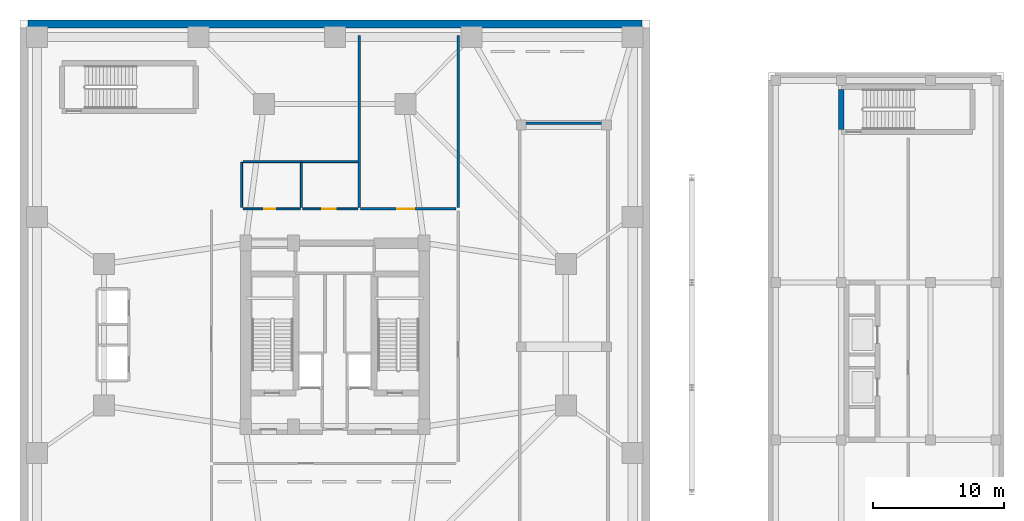
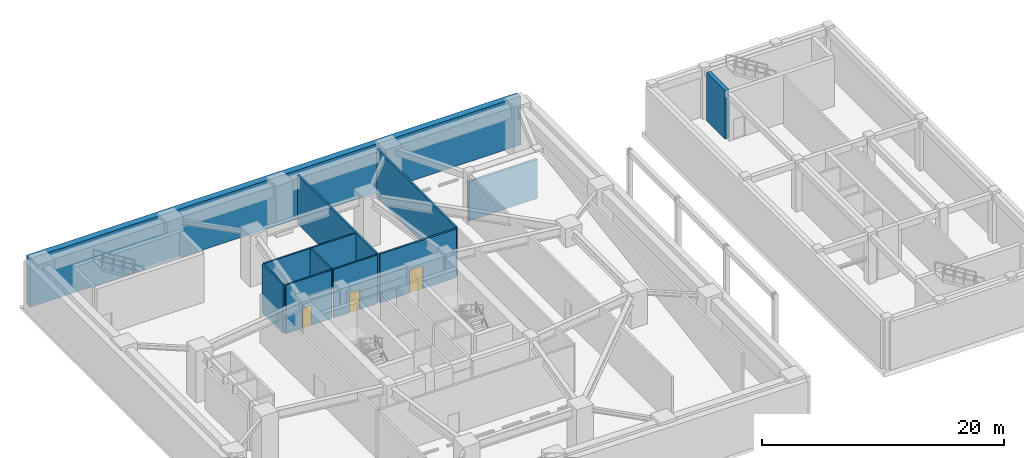
# One storey, part 6 of 13: 11 walls, 3 doors, 3 openings.
"""IFC4 building model written with IfcOpenShell, lengths in metres."""

import ifcopenshell
import ifcopenshell.guid

model = None  # the IFC model being written
_history = None  # IfcOwnerHistory: only IFC2X3 demands one
_inside = {}  # id of a spatial element -> (the spatial element, [elements in it])
_under = {}  # id of a project, library or spatial element -> (it, [spatial elements below it])
_declared = {}  # id of a project -> (the project, [libraries it declares])
_typed = {}  # id of a type object -> (the type object, [elements of that type])
_made_of = {}  # id of a material, layer set ... -> (it, [elements and type objects made of it])


def new_model(schema):
    """Start an empty IFC model of exactly this schema.

    Asked for "IFC4X3", IfcOpenShell would pick the latest addendum, in which some entities
    have other attributes; the version numbers below select the first issue.
    IFC2X3 requires an IfcOwnerHistory on every rooted entity: one is made here for all.
    """
    global model, _history
    if schema == "IFC4X3":
        model = ifcopenshell.file(schema_version=(4, 3, 0, 0))
    else:
        model = ifcopenshell.file(schema=schema)
    _inside.clear()
    _under.clear()
    _declared.clear()
    _typed.clear()
    _made_of.clear()
    _history = None
    if model.schema == "IFC2X3":
        org = make("IfcOrganization", Name="unknown")
        user = make(
            "IfcPersonAndOrganization",
            ThePerson=make("IfcPerson", FamilyName="unknown"),
            TheOrganization=org,
        )
        app = make(
            "IfcApplication",
            ApplicationDeveloper=org,
            Version="unknown",
            ApplicationFullName="unknown",
            ApplicationIdentifier="unknown",
        )
        _history = make(
            "IfcOwnerHistory",
            OwningUser=user,
            OwningApplication=app,
            ChangeAction="ADDED",
            CreationDate=0,
        )
    return model


def make(cls, **values):
    """One entity of the class cls with the attributes given. An attribute that is None is left unset."""
    return model.create_entity(
        cls, **{name: value for name, value in values.items() if value is not None}
    )


def rooted(cls, **values):
    """An entity with a GlobalId (a new one), such as an element, a storey or a relation."""
    return make(cls, GlobalId=ifcopenshell.guid.new(), OwnerHistory=_history, **values)


def si_unit(unit_type, name, prefix=None):
    """IfcSIUnit, for example si_unit("LENGTHUNIT", "METRE", prefix="MILLI")."""
    return make("IfcSIUnit", UnitType=unit_type, Prefix=prefix, Name=name)


def assignment(units):
    """IfcUnitAssignment: the units of a project."""
    return None if units is None else make("IfcUnitAssignment", Units=units)


def point(xyz):
    """IfcCartesianPoint."""
    return None if xyz is None else make("IfcCartesianPoint", Coordinates=xyz)


def direction(xyz):
    """IfcDirection."""
    return None if xyz is None else make("IfcDirection", DirectionRatios=xyz)


def frame(location, z_axis=None, x_axis=None):
    """IfcAxis2Placement3D, a coordinate frame: its origin and axes. An axis left out is left unset."""
    return make(
        "IfcAxis2Placement3D",
        Location=point(location),
        Axis=direction(z_axis),
        RefDirection=direction(x_axis),
    )


def frame_2d(location, x_axis=None):
    """IfcAxis2Placement2D, a coordinate frame in the plane: its origin and x axis."""
    return make(
        "IfcAxis2Placement2D", Location=point(location), RefDirection=direction(x_axis)
    )


def origin():
    """The frame at (0, 0, 0) with its axes left unset."""
    return frame((0.0, 0.0, 0.0))


def place(relative_to, where):
    """IfcLocalPlacement: puts the frame where relative to a parent placement (None: the world)."""
    return make(
        "IfcLocalPlacement", PlacementRelTo=relative_to, RelativePlacement=where
    )


def context(
    kind, dimensions, precision=None, world=None, true_north=None, identifier=None
):
    """IfcGeometricRepresentationContext, for example the 3D "Model" context."""
    return make(
        "IfcGeometricRepresentationContext",
        ContextIdentifier=identifier,
        ContextType=kind,
        CoordinateSpaceDimension=dimensions,
        Precision=precision,
        WorldCoordinateSystem=world,
        TrueNorth=true_north,
    )


def subcontext(parent, identifier, kind, view, scale=None):
    """IfcGeometricRepresentationSubContext, for example "Body" below "Model"."""
    return make(
        "IfcGeometricRepresentationSubContext",
        ContextIdentifier=identifier,
        ContextType=kind,
        ParentContext=parent,
        TargetScale=scale,
        TargetView=view,
    )


def project(units=None, contexts=None):
    """IfcProject with its units and contexts."""
    return rooted(
        "IfcProject",
        Name="project",
        RepresentationContexts=contexts,
        UnitsInContext=assignment(units),
    )


def spatial(cls, under=None, at=None, **own):
    """A site, building, storey or space (cls), placed at a placement, below another one or the project."""
    s = rooted(cls, ObjectPlacement=at, **own)
    if under is not None:
        _under.setdefault(under.id(), (under, []))[1].append(s)
    return s


def profile(cls, at=None, kind="AREA", **sizes):
    """A parametric profile (cls). Its sizes go by their IFC names, for example OverallWidth=200.0."""
    return make(cls, ProfileType=kind, Position=at, **sizes)


def rectangle(**sizes):
    """IfcRectangleProfileDef."""
    return profile("IfcRectangleProfileDef", **sizes)


def extrude(swept, where, along, depth):
    """IfcExtrudedAreaSolid: the profile swept, set in the frame where, extruded along a direction by depth."""
    return make(
        "IfcExtrudedAreaSolid",
        SweptArea=swept,
        Position=where,
        ExtrudedDirection=direction(along),
        Depth=depth,
    )


def shape(context_of_items, identifier, shape_type, items):
    """IfcShapeRepresentation: the items that make up one representation, for example the "Body"."""
    return make(
        "IfcShapeRepresentation",
        ContextOfItems=context_of_items,
        RepresentationIdentifier=identifier,
        RepresentationType=shape_type,
        Items=items,
    )


def source(mapping_origin, context_of_items, identifier, shape_type, items):
    """IfcRepresentationMap: a shape defined once, which mapped items show again and again."""
    return make(
        "IfcRepresentationMap",
        MappingOrigin=mapping_origin,
        MappedRepresentation=shape(context_of_items, identifier, shape_type, items),
    )


def transform(
    local_origin,
    x_axis=None,
    y_axis=None,
    z_axis=None,
    scale=None,
    scale2=None,
    scale3=None,
    uniform=True,
):
    """IfcCartesianTransformationOperator3D, or its non-uniform kind. x_axis, y_axis, z_axis: its Axis1, 2, 3."""
    if uniform:
        return make(
            "IfcCartesianTransformationOperator3D",
            Axis1=direction(x_axis),
            Axis2=direction(y_axis),
            LocalOrigin=point(local_origin),
            Scale=scale,
            Axis3=direction(z_axis),
        )
    return make(
        "IfcCartesianTransformationOperator3DnonUniform",
        Axis1=direction(x_axis),
        Axis2=direction(y_axis),
        LocalOrigin=point(local_origin),
        Scale=scale,
        Axis3=direction(z_axis),
        Scale2=scale2,
        Scale3=scale3,
    )


def mapped(mapping_source, mapping_target):
    """IfcMappedItem: shows the shape of a source again, moved by a transform."""
    return make(
        "IfcMappedItem", MappingSource=mapping_source, MappingTarget=mapping_target
    )


def material(Name=None, Category=None):
    """IfcMaterial."""
    return make("IfcMaterial", Name=Name, Category=Category)


def layer(
    of_material, thickness, ventilated=None, Name=None, Category=None, Priority=None
):
    """IfcMaterialLayer: one layer of a wall or slab, of a material (None: an air gap)."""
    return make(
        "IfcMaterialLayer",
        Material=of_material,
        LayerThickness=thickness,
        IsVentilated=ventilated,
        Name=Name,
        Category=Category,
        Priority=Priority,
    )


def layer_set(layers, Name=None):
    """IfcMaterialLayerSet."""
    return make("IfcMaterialLayerSet", MaterialLayers=layers, LayerSetName=Name)


def made_of(thing, what):
    """Note that an element or type object is made of a material, layer set ...; save() writes the relation."""
    if what is not None:
        _made_of.setdefault(what.id(), (what, []))[1].append(thing)
    return thing


def type_object(cls, material=None, **own):
    """A type object (cls), such as IfcWallType, which elements share."""
    return made_of(rooted(cls, **own), material)


def element(
    cls,
    number,
    at=None,
    inside=None,
    cuts=None,
    type_object=None,
    material=None,
    context=None,
    identifier="Body",
    shape_type=None,
    held_by="IfcProductDefinitionShape",
    body=None,
    shapes=None,
    **own,
):
    """One element of the class cls, such as IfcWall. Its Tag is "e" and its number.

    at: its placement. inside: the storey or other place that contains it. cuts: it is an
    opening in that element (IfcRelVoidsElement). A single representation is given by context,
    identifier, shape_type and body (its items); several are given by shapes. held_by: the class
    of the entity that holds the representations. save() writes the other relations.
    """
    e = rooted(cls, Tag="e%d" % number, ObjectPlacement=at, **own)
    if body is not None:
        shapes = [shape(context, identifier, shape_type, body)]
    if shapes is not None:
        e.Representation = make(held_by, Representations=shapes)
    if inside is not None:
        _inside.setdefault(inside.id(), (inside, []))[1].append(e)
    if cuts is not None:
        rooted(
            "IfcRelVoidsElement", RelatingBuildingElement=cuts, RelatedOpeningElement=e
        )
    if type_object is not None:
        _typed.setdefault(type_object.id(), (type_object, []))[1].append(e)
    return made_of(e, material)


def fill(opening, filler):
    """IfcRelFillsElement: the door or window that sits in an opening."""
    return rooted(
        "IfcRelFillsElement",
        RelatingOpeningElement=opening,
        RelatedBuildingElement=filler,
    )


def aggregate(whole, parts):
    """IfcRelAggregates: a whole, such as a stair, and the parts it consists of."""
    return rooted("IfcRelAggregates", RelatingObject=whole, RelatedObjects=parts)


def save(model, path):
    """Write the relations noted so far, then the file.

    IfcRelAggregates (storeys below a building ...), IfcRelContainedInSpatialStructure (elements
    in a storey), IfcRelDefinesByType, IfcRelAssociatesMaterial and IfcRelDeclares: one each for
    every whole, place, type object, material and project.
    """
    for whole, parts in _under.values():
        aggregate(whole, parts)
    for where, things in _inside.values():
        rooted(
            "IfcRelContainedInSpatialStructure",
            RelatedElements=things,
            RelatingStructure=where,
        )
    for kind, things in _typed.values():
        rooted("IfcRelDefinesByType", RelatedObjects=things, RelatingType=kind)
    for what, things in _made_of.values():
        rooted("IfcRelAssociatesMaterial", RelatedObjects=things, RelatingMaterial=what)
    for by, libraries in _declared.values():
        rooted("IfcRelDeclares", RelatingContext=by, RelatedDefinitions=libraries)
    model.write(path)


model = new_model("IFC4")

# Units and contexts
model_context = context("Model", 3, precision=1e-05, world=origin(), true_north=direction((0.0, 1.0)))
body_context = subcontext(model_context, "Body", "Model", "MODEL_VIEW")
ifc_project = project(units=[si_unit("LENGTHUNIT", "METRE"), si_unit("AREAUNIT", "SQUARE_METRE"), si_unit("VOLUMEUNIT", "CUBIC_METRE"), si_unit("PLANEANGLEUNIT", "RADIAN"), si_unit("MASSUNIT", "GRAM", prefix="KILO")], contexts=[model_context])

# Site, building, storey
site_placement = place(None, origin())
site = spatial("IfcSite", under=ifc_project, at=site_placement, CompositionType="ELEMENT")
building_placement = place(site_placement, origin())
building = spatial("IfcBuilding", under=site, at=building_placement, Name="Veraguas Prism Commons", CompositionType="ELEMENT")
storey_placement = place(building_placement, frame((0.0, 0.0, -5.199951171875)))
storey = spatial("IfcBuildingStorey", under=building, at=storey_placement, Name="B1", CompositionType="ELEMENT", Elevation=-5.199951171875)

# Walls
ifc_material_1 = material(Name="Concrete C50/60", Category="concrete")
ifc_layer_1 = layer(ifc_material_1, 0.60009765625, Name="Basement Perimeter Retaining Wall RC 600", Category="concrete")
ifc_layer_set_1 = layer_set([ifc_layer_1], Name="Concrete C50/60")
wall_type_1 = type_object("IfcWallType", Name="Basement Perimeter Retaining Wall RC 600", PredefinedType="SOLIDWALL", material=ifc_layer_set_1)
wall_1_placement = place(storey_placement, frame((47.39990234375, 47.699951171875, 0.0), z_axis=(0.0, 0.0, 1.0), x_axis=(-1.0, 0.0, 0.0)))
element("IfcWall", 1, at=wall_1_placement, inside=storey, type_object=wall_type_1, Name="Basement Retaining Wall B1-N", PredefinedType="SOLIDWALL", context=body_context, shape_type="SweptSolid", body=[
    extrude(rectangle(XDim=46.7998046875, YDim=0.60009765625, at=frame_2d((23.39990234375, 0.0))), origin(), (0.0, 0.0, 1.0), 4.89990234375),
])
ifc_layer_2 = layer(ifc_material_1, 0.39990234375, Name="Clinic and Mid Core Shear Wall RC 400", Category="concrete")
ifc_layer_set_2 = layer_set([ifc_layer_2], Name="Concrete C50/60")
wall_type_2 = type_object("IfcWallType", Name="Clinic and Mid Core Shear Wall RC 400", PredefinedType="SHEAR", material=ifc_layer_set_2)
wall_2_placement = place(storey_placement, frame((62.60009765625, 39.659912109375, 0.0), z_axis=(0.0, 0.0, 1.0), x_axis=(0.0, 1.0, 0.0)))
element("IfcWall", 2, at=wall_2_placement, inside=storey, type_object=wall_type_2, Name="ST-H2 West Shear Wall B1", PredefinedType="SHEAR", context=body_context, shape_type="SweptSolid", body=[
    extrude(rectangle(XDim=3.050048828125, YDim=0.39990234375, at=frame_2d((1.52490234375, 0.0))), origin(), (0.0, 0.0, 1.0), 4.89990234375),
])

# Wall, opening, door
ifc_material_2 = material(Name="Autoclaved aerated masonry block 10 MPa", Category="masonry")
ifc_layer_3 = layer(ifc_material_2, 0.179931640625, Name="Corridor and Inter-Tenancy Partition 180", Category="masonry")
ifc_layer_set_3 = layer_set([ifc_layer_3], Name="Autoclaved aerated masonry block 10 MPa")
wall_type_3 = type_object("IfcWallType", Name="Corridor and Inter-Tenancy Partition 180", PredefinedType="PARTITIONING", material=ifc_layer_set_3)
wall_3_placement = place(storey_placement, frame((25.949951171875, 33.60009765625, 0.0), z_axis=(0.0, 0.0, 1.0), x_axis=(1.0, 0.0, 0.0)))
wall_3 = element("IfcWall", 3, at=wall_3_placement, inside=storey, type_object=wall_type_3, Name="WL-B1-PT05", PredefinedType="PARTITIONING", context=body_context, shape_type="SweptSolid", body=[
    extrude(rectangle(XDim=7.300048828125, YDim=0.179931640625, at=frame_2d((3.64990234375, 0.0))), origin(), (0.0, 0.0, 1.0), 4.89990234375),
])
opening_1_placement = place(wall_3_placement, frame((2.800048828125, 0.0, 0.0)))
opening_1 = element("IfcOpeningElement", 4, at=opening_1_placement, cuts=wall_3, Name="Opening DR-11", PredefinedType="OPENING", context=body_context, shape_type="SweptSolid", body=[
    extrude(rectangle(XDim=1.300048828125, YDim=2.300048828125, at=frame_2d((0.64990234375, 1.14990234375))), frame((0.0, 0.099853515625, 0.0), z_axis=(0.0, -1.0, 0.0), x_axis=(1.0, 0.0, 0.0)), (0.0, 0.0, 1.0), 0.199951171875),
])
ifc_material_3 = material(Name="Steel fire-rated door assembly", Category="steel")
door_type_1 = type_object("IfcDoorType", Name="Mechanical Plant Room Door 1300x2300", OperationType="NOTDEFINED", PredefinedType="DOOR", material=ifc_material_3)
shared_shape_1 = source(origin(), body_context, "Body", "SweptSolid", [
    extrude(rectangle(XDim=1.300048828125, YDim=2.300048828125, at=frame_2d((0.64990234375, 1.14990234375))), frame((0.0, 0.02490234375, 0.0), z_axis=(0.0, -1.0, 0.0), x_axis=(1.0, 0.0, 0.0)), (0.0, 0.0, 1.0), 0.050048828125),
])
door_1_placement = place(opening_1_placement, origin())
door_1 = element("IfcDoor", 5, at=door_1_placement, inside=storey, type_object=door_type_1, Name="Chiller Plant Door B1", OperationType="SINGLE_SWING_RIGHT", OverallHeight=2.300048828125, OverallWidth=1.300048828125, PredefinedType="DOOR", context=body_context, shape_type="MappedRepresentation", body=[
    mapped(shared_shape_1, transform((0.0, 0.0, 0.0), scale=1.0)),
])
fill(opening_1, door_1)

# Walls
for number, where, z_axis, x_axis, name in (
    (6, (25.85009765625, 33.719970703125, 0.0), (0.0, 0.0, 1.0), (0.0, 1.0, 0.0), "WL-B1-PT07"),
    (7, (33.39990234375, 33.719970703125, 0.0), (0.0, 0.0, 1.0), (0.0, 1.0, 0.0), "WL-B1-PT07E"),
):
    element("IfcWall", number, at=place(storey_placement, frame(where, z_axis=z_axis, x_axis=x_axis)), inside=storey, type_object=wall_type_3, Name=name, PredefinedType="PARTITIONING", context=body_context, shape_type="SweptSolid", body=[
        extrude(rectangle(XDim=13.080078125, YDim=0.179931640625, at=frame_2d((6.5400390625, 0.0))), origin(), (0.0, 0.0, 1.0), 4.89990234375),
    ])
ifc_layer_4 = layer(ifc_material_2, 0.199951171875, Name="Rated Shaft and Lobby Block Wall 200", Category="masonry")
ifc_layer_set_4 = layer_set([ifc_layer_4], Name="Autoclaved aerated masonry block 10 MPa")
wall_type_4 = type_object("IfcWallType", Name="Rated Shaft and Lobby Block Wall 200", PredefinedType="SOLIDWALL", material=ifc_layer_set_4)
wall_4_placement = place(storey_placement, frame((38.179931640625, 40.1201171875, 0.0), z_axis=(0.0, 0.0, 1.0), x_axis=(1.0, 0.0, 0.0)))
element("IfcWall", 8, at=wall_4_placement, inside=storey, type_object=wall_type_4, Name="Basement Vehicle Ramp Shaft Wall North", PredefinedType="SOLIDWALL", context=body_context, shape_type="SweptSolid", body=[
    extrude(rectangle(XDim=6.5400390625, YDim=0.199951171875, at=frame_2d((3.27001953125, 0.0))), origin(), (0.0, 0.0, 1.0), 3.97998046875),
])

# Wall, opening, door
ifc_material_4 = material(Name="Lightweight acoustic gypsum board")
ifc_layer_5 = layer(ifc_material_4, 0.14990234375, Name="Wet Room and Clinic Acoustic Partition 150")
ifc_layer_set_5 = layer_set([ifc_layer_5], Name="Lightweight acoustic gypsum board")
wall_type_5 = type_object("IfcWallType", Name="Wet Room and Clinic Acoustic Partition 150", PredefinedType="PARTITIONING", material=ifc_layer_set_5)
wall_5_placement = place(storey_placement, frame((17.0, 33.60009765625, 0.0), z_axis=(0.0, 0.0, 1.0), x_axis=(1.0, 0.0, 0.0)))
wall_5 = element("IfcWall", 9, at=wall_5_placement, inside=storey, type_object=wall_type_5, Name="WL-B1-PT03", PredefinedType="PARTITIONING", context=body_context, shape_type="SweptSolid", body=[
    extrude(rectangle(XDim=4.35009765625, YDim=0.14990234375, at=frame_2d((2.175048828125, 0.0))), origin(), (0.0, 0.0, 1.0), 4.89990234375),
])
opening_2_placement = place(wall_5_placement, frame((1.60009765625, 0.0, 0.0)))
opening_2 = element("IfcOpeningElement", 10, at=opening_2_placement, cuts=wall_5, Name="Opening DR-12", PredefinedType="OPENING", context=body_context, shape_type="SweptSolid", body=[
    extrude(rectangle(XDim=0.860107421875, YDim=2.010009765625, at=frame_2d((0.43017578125, 1.0048828125))), frame((0.0, 0.0849609375, 0.0), z_axis=(0.0, -1.0, 0.0), x_axis=(1.0, 0.0, 0.0)), (0.0, 0.0, 1.0), 0.169921875),
])
door_type_2 = type_object("IfcDoorType", Name="Core WC Fire Door 860x2010", OperationType="NOTDEFINED", PredefinedType="DOOR", material=ifc_material_3)
shared_shape_2 = source(origin(), body_context, "Body", "SweptSolid", [
    extrude(rectangle(XDim=0.860107421875, YDim=2.010009765625, at=frame_2d((0.43017578125, 1.0048828125))), frame((0.0, 0.02490234375, 0.0), z_axis=(0.0, -1.0, 0.0), x_axis=(1.0, 0.0, 0.0)), (0.0, 0.0, 1.0), 0.050048828125),
])
door_2_placement = place(opening_2_placement, origin())
door_2 = element("IfcDoor", 11, at=door_2_placement, inside=storey, type_object=door_type_2, Name="Station Staff WC Door B1", OperationType="SINGLE_SWING_RIGHT", OverallHeight=2.010009765625, OverallWidth=0.860107421875, PredefinedType="DOOR", context=body_context, shape_type="MappedRepresentation", body=[
    mapped(shared_shape_2, transform((0.0, 0.0, 0.0), scale=1.0)),
])
fill(opening_2, door_2)

wall_6_placement = place(storey_placement, frame((21.550048828125, 33.60009765625, 0.0), z_axis=(0.0, 0.0, 1.0), x_axis=(1.0, 0.0, 0.0)))
wall_6 = element("IfcWall", 12, at=wall_6_placement, inside=storey, type_object=wall_type_5, Name="WL-B1-PT04", PredefinedType="PARTITIONING", context=body_context, shape_type="SweptSolid", body=[
    extrude(rectangle(XDim=4.199951171875, YDim=0.14990234375, at=frame_2d((2.10009765625, 0.0))), origin(), (0.0, 0.0, 1.0), 4.89990234375),
])
opening_3_placement = place(wall_6_placement, frame((1.5, 0.0, 0.0)))
opening_3 = element("IfcOpeningElement", 13, at=opening_3_placement, cuts=wall_6, Name="Opening DR-13", PredefinedType="OPENING", context=body_context, shape_type="SweptSolid", body=[
    extrude(rectangle(XDim=1.0, YDim=2.010009765625, at=frame_2d((0.5, 1.0048828125))), frame((0.0, 0.0849609375, 0.0), z_axis=(0.0, -1.0, 0.0), x_axis=(1.0, 0.0, 0.0)), (0.0, 0.0, 1.0), 0.169921875),
])
door_type_3 = type_object("IfcDoorType", Name="Core Accessible WC and Clinic Fire Door 1000x2010", OperationType="NOTDEFINED", PredefinedType="DOOR", material=ifc_material_3)
shared_shape_3 = source(origin(), body_context, "Body", "SweptSolid", [
    extrude(rectangle(XDim=1.0, YDim=2.010009765625, at=frame_2d((0.5, 1.0048828125))), frame((0.0, 0.02490234375, 0.0), z_axis=(0.0, -1.0, 0.0), x_axis=(1.0, 0.0, 0.0)), (0.0, 0.0, 1.0), 0.050048828125),
])
door_3_placement = place(opening_3_placement, origin())
door_3 = element("IfcDoor", 14, at=door_3_placement, inside=storey, type_object=door_type_3, Name="Station Accessible WC Door B1", OperationType="SINGLE_SWING_LEFT", OverallHeight=2.010009765625, OverallWidth=1.0, PredefinedType="DOOR", context=body_context, shape_type="MappedRepresentation", body=[
    mapped(shared_shape_3, transform((0.0, 0.0, 0.0), scale=1.0)),
])
fill(opening_3, door_3)

# Walls
for number, where, z_axis, x_axis, name in (
    (15, (21.449951171875, 33.719970703125, 0.0), (0.0, 0.0, 1.0), (0.0, 1.0, 0.0), "WL-B1-PT06"),
    (16, (16.89990234375, 33.719970703125, 0.0), (0.0, 0.0, 1.0), (0.0, 1.0, 0.0), "WL-B1-PT06W"),
):
    element("IfcWall", number, at=place(storey_placement, frame(where, z_axis=z_axis, x_axis=x_axis)), inside=storey, type_object=wall_type_5, Name=name, PredefinedType="PARTITIONING", context=body_context, shape_type="SweptSolid", body=[
        extrude(rectangle(XDim=3.429931640625, YDim=0.14990234375, at=frame_2d((1.71484375, 0.0))), origin(), (0.0, 0.0, 1.0), 4.89990234375),
    ])
wall_7_placement = place(storey_placement, frame((17.0, 37.199951171875, 0.0), z_axis=(0.0, 0.0, 1.0), x_axis=(1.0, 0.0, 0.0)))
element("IfcWall", 17, at=wall_7_placement, inside=storey, type_object=wall_type_5, Name="WL-B1-PT08", PredefinedType="PARTITIONING", context=body_context, shape_type="SweptSolid", body=[
    extrude(rectangle(XDim=8.75, YDim=0.14990234375, at=frame_2d((4.375, 0.0))), origin(), (0.0, 0.0, 1.0), 4.89990234375),
])

save(model, "model.ifc")
